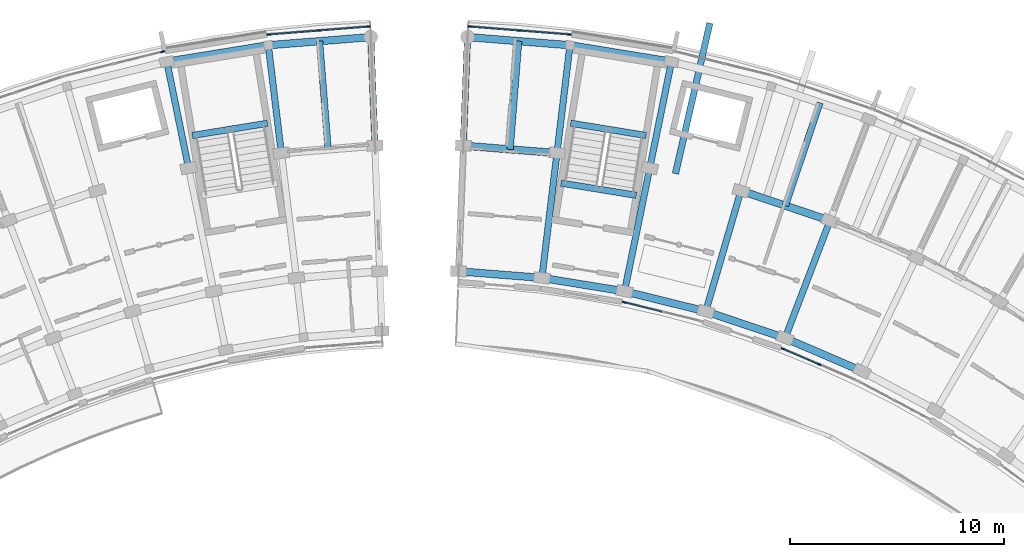
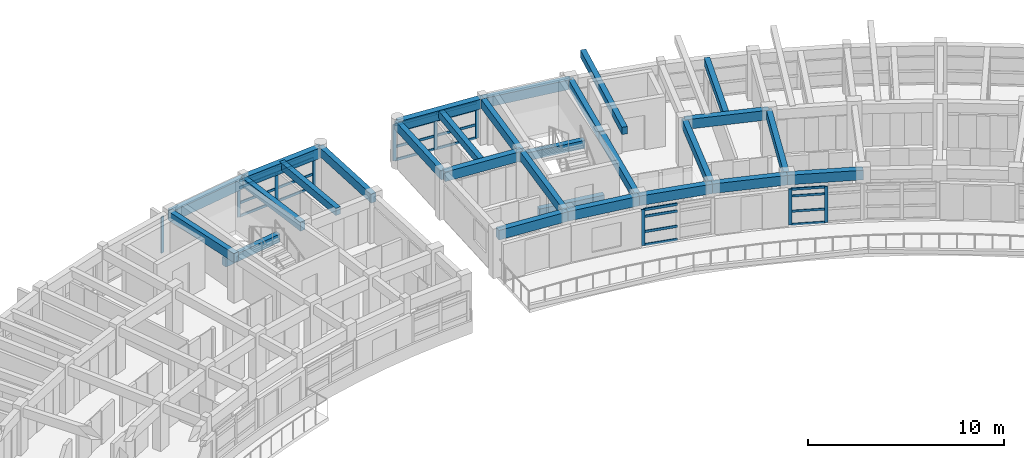
# One storey, part 6 of 38: 34 members, 28 beams, 5 elements without a shape of their own.
"""IFC4 building model written with IfcOpenShell, lengths in metres."""

from ifc_helpers import new_model, si_unit, direction, frame, origin, origin_2d, place, context, subcontext, project, spatial, rectangle, extrude, material, material_profile, profile_set, type_object, element, aggregate, save


model = new_model("IFC4")

# Units and contexts
model_context = context("Model", 3, precision=1e-05, world=origin(), true_north=direction((0.0, 1.0)))
body_context = subcontext(model_context, "Body", "Model", "MODEL_VIEW")
ifc_project = project(units=[si_unit("LENGTHUNIT", "METRE"), si_unit("AREAUNIT", "SQUARE_METRE"), si_unit("VOLUMEUNIT", "CUBIC_METRE"), si_unit("PLANEANGLEUNIT", "RADIAN"), si_unit("MASSUNIT", "GRAM", prefix="KILO")], contexts=[model_context])

# Site, building, storey
site_placement = place(None, origin())
site = spatial("IfcSite", under=ifc_project, at=site_placement, CompositionType="ELEMENT")
building_placement = place(site_placement, origin())
building = spatial("IfcBuilding", under=site, at=building_placement, Name="Zimvara Arc Housing Community", CompositionType="ELEMENT")
storey_placement = place(building_placement, frame((0.0, 0.0, 29.800048828125)))
storey = spatial("IfcBuildingStorey", under=building, at=storey_placement, Name="L09", CompositionType="ELEMENT", Elevation=29.800048828125)

# Beams
ifc_material_1 = material(Name="Concrete C40/50", Category="concrete")
ifc_material_profile_1 = material_profile(ifc_material_1, rectangle(XDim=0.300048828125, YDim=0.449951171875, at=origin_2d()), Name="RC 300x450")
ifc_profile_set_1 = profile_set([ifc_material_profile_1], Name="Concrete C40/50")
beam_type_1 = type_object("IfcBeamType", Name="BM-RC-300x450", PredefinedType="JOIST", material=ifc_profile_set_1)
for number, where, z_axis, x_axis, name in (
    (1, (40.7451171875, 98.08642578125, 2.635009765625), (-0.079171686291, 0.99686099537, 0.0), (-0.99686099537, -0.079171686291, 0.0), "bm:blkA:L09:joist:b9"),
    (2, (49.2548828125, 98.08642578125, 2.635009765625), (0.079171686291, 0.99686099537, 0.0), (-0.99686099537, 0.079171686291, 0.0), "bm:blkB:L09:joist:b0"),
    (3, (62.1279296875, 95.453369140625, 2.635009765625), (0.318607669836, 0.947886677152, 0.0), (-0.947886677152, 0.318607669836, 0.0), "bm:blkB:L09:joist:b3"),
):
    element("IfcBeam", number, at=place(storey_placement, frame(where, z_axis=z_axis, x_axis=x_axis)), inside=storey, type_object=beam_type_1, Name=name, PredefinedType="JOIST", context=body_context, shape_type="SweptSolid", body=[
        extrude(rectangle(XDim=0.300048828125, YDim=0.449951171875, at=origin_2d()), origin(), (0.0, 0.0, 1.0), 5.07568359375),
    ])
beam_1_placement = place(storey_placement, frame((56.983642578125, 96.9482421875, 2.6650390625), z_axis=(0.222762368322, 0.974872774909, 0.0), x_axis=(-0.974872774909, 0.222762368322, 0.0)))
element("IfcBeam", 4, at=beam_1_placement, inside=storey, type_object=beam_type_1, Name="bm:blkB:L09:cant_out:b2", PredefinedType="JOIST", context=body_context, shape_type="SweptSolid", body=[
    extrude(rectangle(XDim=0.300048828125, YDim=0.449951171875, at=origin_2d()), origin(), (0.0, 0.0, 1.0), 7.22021484375),
])
ifc_material_2 = material(Name="Concrete C40/50", Category="concrete")
ifc_material_profile_2 = material_profile(ifc_material_2, rectangle(XDim=0.300048828125, YDim=0.5, at=origin_2d()), Name="RC 300x500")
ifc_profile_set_2 = profile_set([ifc_material_profile_2], Name="Concrete C40/50")
beam_type_2 = type_object("IfcBeamType", Name="BM-RC-300x500", PredefinedType="BEAM", material=ifc_profile_set_2)
for number, where, z_axis, x_axis, name in (
    (5, (37.911865234375, 99.307373046875, 1.300048828125), (-0.987080057935, -0.160227835371, 0.0), (0.160227835371, -0.987080057935, 0.0), "bm:stair_trim:ST-A2:L09:mid"),
    (6, (55.15771484375, 95.93701171875, -0.25), (-0.987080057935, 0.160227835371, 0.0), (-0.160227835371, -0.987080057935, 0.0), "bm:stair_trim:ST-B1:L09:near"),
    (7, (55.612060546875, 98.7353515625, 1.300048828125), (-0.987080057935, 0.160227835371, 0.0), (-0.160227835371, -0.987080057935, 0.0), "bm:stair_trim:ST-B1:L09:mid"),
):
    element("IfcBeam", number, at=place(storey_placement, frame(where, z_axis=z_axis, x_axis=x_axis)), inside=storey, type_object=beam_type_2, Name=name, PredefinedType="BEAM", context=body_context, shape_type="SweptSolid", body=[
        extrude(rectangle(XDim=0.300048828125, YDim=0.5, at=origin_2d()), origin(), (0.0, 0.0, 1.0), 3.570068359375),
    ])
ifc_material_3 = material(Name="Concrete C40/50", Category="concrete")
ifc_material_profile_3 = material_profile(ifc_material_3, rectangle(XDim=0.300048828125, YDim=0.550048828125, at=origin_2d()), Name="RC 300x550")
ifc_profile_set_3 = profile_set([ifc_material_profile_3], Name="Concrete C40/50")
beam_type_3 = type_object("IfcBeamType", Name="BM-RC-300x550", PredefinedType="BEAM", material=ifc_profile_set_3)
beam_2_placement = place(storey_placement, frame((34.21875, 97.208740234375, 2.5849609375), z_axis=(-0.200411962389, 0.97971171542, 0.0), x_axis=(-0.97971171542, -0.200411962389, 0.0)))
element("IfcBeam", 8, at=beam_2_placement, inside=storey, type_object=beam_type_3, Name="bm:blkA:L09:rad:b8:r23", PredefinedType="BEAM", context=body_context, shape_type="SweptSolid", body=[
    extrude(rectangle(XDim=0.300048828125, YDim=0.550048828125, at=origin_2d()), origin(), (0.0, 0.0, 1.0), 5.079833984375),
])
for number, where, z_axis, x_axis, name in (
    (9, (38.55517578125, 97.91259765625, 2.5849609375), (-0.119762990499, 0.99280251113, 0.0), (-0.99280251113, -0.119762990499, 0.0), "bm:blkA:L09:rad:b9:r23"),
    (10, (42.934814453125, 98.26025390625, 2.5849609375), (-0.038398054907, 0.999262522753, 0.0), (-0.999262522753, -0.038398054907, 0.0), "bm:blkA:L09:rad:b10:r23"),
    (11, (47.065185546875, 98.26025390625, 2.5849609375), (0.038398054907, 0.999262522753, 0.0), (-0.999262522753, 0.038398054907, 0.0), "bm:blkB:L09:rad:b0:r23"),
):
    element("IfcBeam", number, at=place(storey_placement, frame(where, z_axis=z_axis, x_axis=x_axis)), inside=storey, type_object=beam_type_3, Name=name, PredefinedType="BEAM", context=body_context, shape_type="SweptSolid", body=[
        extrude(rectangle(XDim=0.300048828125, YDim=0.550048828125, at=origin_2d()), origin(), (0.0, 0.0, 1.0), 5.080078125),
    ])
beam_3_placement = place(storey_placement, frame((50.740234375, 92.074951171875, 2.5849609375), z_axis=(0.119827921695, 0.992794676246, 0.0), x_axis=(-0.992794676246, 0.119827921695, 0.0)))
element("IfcBeam", 12, at=beam_3_placement, inside=storey, type_object=beam_type_3, Name="bm:blkB:L09:rad:b1:r12", PredefinedType="BEAM", context=body_context, shape_type="SweptSolid", body=[
    extrude(rectangle(XDim=0.300048828125, YDim=0.550048828125, at=origin_2d()), origin(), (0.0, 0.0, 1.0), 5.880126953125),
])
beam_4_placement = place(storey_placement, frame((51.44482421875, 97.91259765625, 2.5849609375), z_axis=(0.119762990499, 0.99280251113, 0.0), x_axis=(-0.99280251113, 0.119762990499, 0.0)))
element("IfcBeam", 13, at=beam_4_placement, inside=storey, type_object=beam_type_3, Name="bm:blkB:L09:rad:b1:r23", PredefinedType="BEAM", context=body_context, shape_type="SweptSolid", body=[
    extrude(rectangle(XDim=0.300048828125, YDim=0.550048828125, at=origin_2d()), origin(), (0.0, 0.0, 1.0), 5.080078125),
])
beam_5_placement = place(storey_placement, frame((54.602783203125, 91.447998046875, 2.5849609375), z_axis=(0.200417973989, 0.979710485655, 0.0), x_axis=(-0.979710485655, 0.200417973989, 0.0)))
element("IfcBeam", 14, at=beam_5_placement, inside=storey, type_object=beam_type_3, Name="bm:blkB:L09:rad:b2:r12", PredefinedType="BEAM", context=body_context, shape_type="SweptSolid", body=[
    extrude(rectangle(XDim=0.300048828125, YDim=0.550048828125, at=origin_2d()), origin(), (0.0, 0.0, 1.0), 5.880126953125),
])
beam_6_placement = place(storey_placement, frame((55.78125, 97.208740234375, 2.5849609375), z_axis=(0.200411962389, 0.97971171542, 0.0), x_axis=(-0.97971171542, 0.200411962389, 0.0)))
element("IfcBeam", 15, at=beam_6_placement, inside=storey, type_object=beam_type_3, Name="bm:blkB:L09:rad:b2:r23", PredefinedType="BEAM", context=body_context, shape_type="SweptSolid", body=[
    extrude(rectangle(XDim=0.300048828125, YDim=0.550048828125, at=origin_2d()), origin(), (0.0, 0.0, 1.0), 5.079833984375),
])
beam_7_placement = place(storey_placement, frame((58.4013671875, 90.5078125, 2.5849609375), z_axis=(0.27967473749, 0.960094808449, 0.0), x_axis=(-0.960094808449, 0.27967473749, 0.0)))
element("IfcBeam", 16, at=beam_7_placement, inside=storey, type_object=beam_type_3, Name="bm:blkB:L09:rad:b3:r12", PredefinedType="BEAM", context=body_context, shape_type="SweptSolid", body=[
    extrude(rectangle(XDim=0.300048828125, YDim=0.550048828125, at=origin_2d()), origin(), (0.0, 0.0, 1.0), 5.880126953125),
])
beam_8_placement = place(storey_placement, frame((62.110595703125, 89.260986328125, 2.5849609375), z_axis=(0.357036247742, 0.934090529766, 0.0), x_axis=(-0.934090529766, 0.357036247742, 0.0)))
element("IfcBeam", 17, at=beam_8_placement, inside=storey, type_object=beam_type_3, Name="bm:blkB:L09:rad:b4:r12", PredefinedType="BEAM", context=body_context, shape_type="SweptSolid", body=[
    extrude(rectangle(XDim=0.300048828125, YDim=0.550048828125, at=origin_2d()), origin(), (0.0, 0.0, 1.0), 5.8798828125),
])
ifc_material_4 = material(Name="Concrete C40/50", Category="concrete")
ifc_material_profile_4 = material_profile(ifc_material_4, rectangle(XDim=0.35009765625, YDim=0.60009765625, at=origin_2d()), Name="RC 350x600")
ifc_profile_set_4 = profile_set([ifc_material_profile_4], Name="Concrete C40/50")
beam_type_4 = type_object("IfcBeamType", Name="BM-RC-350x600", PredefinedType="BEAM", material=ifc_profile_set_4)
beam_9_placement = place(storey_placement, frame((46.839599609375, 92.384765625, 2.56005859375), z_axis=(0.99686054795, -0.079177319606, 0.0), x_axis=(0.079177319606, 0.99686054795, 0.0)))
element("IfcBeam", 18, at=beam_9_placement, inside=storey, type_object=beam_type_4, Name="bm:blkB:L09:chord:r1:b0", PredefinedType="BEAM", context=body_context, shape_type="SweptSolid", body=[
    extrude(rectangle(XDim=0.35009765625, YDim=0.60009765625, at=origin_2d()), origin(), (0.0, 0.0, 1.0), 3.912841796875),
])
for number, where, z_axis, x_axis, name in (
    (19, (50.740234375, 92.074951171875, 2.56005859375), (0.987081487371, -0.160219029111, 0.0), (0.160219029111, 0.987081487371, 0.0), "bm:blkB:L09:chord:r1:b1"),
    (20, (54.602783203125, 91.447998046875, 2.56005859375), (0.970708671682, -0.240259598602, 0.0), (0.240259598602, 0.970708671682, 0.0), "bm:blkB:L09:chord:r1:b2"),
    (21, (58.4013671875, 90.5078125, 2.56005859375), (0.947881689069, -0.31862250945, 0.0), (0.31862250945, 0.947881689069, 0.0), "bm:blkB:L09:chord:r1:b3"),
    (22, (62.110595703125, 89.260986328125, 2.56005859375), (0.91873144242, -0.394882940514, 0.0), (0.394882940514, 0.91873144242, 0.0), "bm:blkB:L09:chord:r1:b4"),
):
    element("IfcBeam", number, at=place(storey_placement, frame(where, z_axis=z_axis, x_axis=x_axis)), inside=storey, type_object=beam_type_4, Name=name, PredefinedType="BEAM", context=body_context, shape_type="SweptSolid", body=[
        extrude(rectangle(XDim=0.35009765625, YDim=0.60009765625, at=origin_2d()), origin(), (0.0, 0.0, 1.0), 3.9130859375),
    ])
beam_10_placement = place(storey_placement, frame((47.065185546875, 98.26025390625, 2.56005859375), z_axis=(0.996864209836, -0.079131202119, 0.0), x_axis=(0.079131202119, 0.996864209836, 0.0)))
element("IfcBeam", 23, at=beam_10_placement, inside=storey, type_object=beam_type_4, Name="bm:blkB:L09:chord:r2:b0", PredefinedType="BEAM", context=body_context, shape_type="SweptSolid", body=[
    extrude(rectangle(XDim=0.35009765625, YDim=0.60009765625, at=origin_2d()), origin(), (0.0, 0.0, 1.0), 4.393310546875),
])
beam_11_placement = place(storey_placement, frame((60.0458984375, 96.1533203125, 2.56005859375), z_axis=(0.947868796036, -0.318660862832, 0.0), x_axis=(0.318660862832, 0.947868796036, 0.0)))
element("IfcBeam", 24, at=beam_11_placement, inside=storey, type_object=beam_type_4, Name="bm:blkB:L09:chord:r2:b3", PredefinedType="BEAM", context=body_context, shape_type="SweptSolid", body=[
    extrude(rectangle(XDim=0.35009765625, YDim=0.60009765625, at=origin_2d()), origin(), (0.0, 0.0, 1.0), 4.39306640625),
])
beam_12_placement = place(storey_placement, frame((47.26025390625, 103.336669921875, 2.56005859375), z_axis=(0.996861768207, -0.0791619548, 0.0), x_axis=(0.0791619548, 0.996861768207, 0.0)))
element("IfcBeam", 25, at=beam_12_placement, inside=storey, type_object=beam_type_4, Name="bm:blkB:L09:chord:r3:b0", PredefinedType="BEAM", context=body_context, shape_type="SweptSolid", body=[
    extrude(rectangle(XDim=0.35009765625, YDim=0.60009765625, at=origin_2d()), origin(), (0.0, 0.0, 1.0), 4.80810546875),
])
beam_13_placement = place(storey_placement, frame((52.05322265625, 102.9560546875, 2.56005859375), z_axis=(0.987076839731, -0.160247659784, 0.0), x_axis=(0.160247659784, 0.987076839731, 0.0)))
element("IfcBeam", 26, at=beam_13_placement, inside=storey, type_object=beam_type_4, Name="bm:blkB:L09:chord:r3:b1", PredefinedType="BEAM", context=body_context, shape_type="SweptSolid", body=[
    extrude(rectangle(XDim=0.35009765625, YDim=0.60009765625, at=origin_2d()), origin(), (0.0, 0.0, 1.0), 4.808349609375),
])
ifc_material_5 = material(Name="Concrete C40/50", Category="concrete")
ifc_material_profile_5 = material_profile(ifc_material_5, rectangle(XDim=0.35009765625, YDim=0.64990234375, at=origin_2d()), Name="RC 350x650")
ifc_profile_set_5 = profile_set([ifc_material_profile_5], Name="Concrete C40/50")
beam_type_5 = type_object("IfcBeamType", Name="BM-RC-350x650", PredefinedType="BEAM", material=ifc_profile_set_5)
beam_14_placement = place(storey_placement, frame((33.20068359375, 102.185546875, 2.534912109375), z_axis=(0.987076839731, 0.160247659784, 0.0), x_axis=(-0.160247659784, 0.987076839731, 0.0)))
element("IfcBeam", 27, at=beam_14_placement, inside=storey, type_object=beam_type_5, Name="bm:blkA:L09:chord:r3:b8", PredefinedType="BEAM", context=body_context, shape_type="SweptSolid", body=[
    extrude(rectangle(XDim=0.35009765625, YDim=0.64990234375, at=origin_2d()), origin(), (0.0, 0.0, 1.0), 4.808349609375),
])
beam_15_placement = place(storey_placement, frame((37.94677734375, 102.9560546875, 2.534912109375), z_axis=(0.996861768207, 0.0791619548, 0.0), x_axis=(-0.0791619548, 0.996861768207, 0.0)))
element("IfcBeam", 28, at=beam_15_placement, inside=storey, type_object=beam_type_5, Name="bm:blkA:L09:chord:r3:b9", PredefinedType="BEAM", context=body_context, shape_type="SweptSolid", body=[
    extrude(rectangle(XDim=0.35009765625, YDim=0.64990234375, at=origin_2d()), origin(), (0.0, 0.0, 1.0), 4.80810546875),
])

# Curtain wall, members
ifc_material_6 = material(Name="Anodised Aluminium AW-6063", Category="aluminium")
curtain_wall_type_1 = type_object("IfcCurtainWallType", Name="CW-SYS-08", PredefinedType="USERDEFINED", material=ifc_material_6)
curtain_wall_1_placement = place(storey_placement, origin())
curtain_wall_1 = element("IfcCurtainWall", 29, at=curtain_wall_1_placement, inside=storey, type_object=curtain_wall_type_1, Name="cw:blkB:L09:in:b4", ObjectType="CURTAIN WALL", PredefinedType="USERDEFINED")
ifc_material_7 = material(Name="Anodised Aluminium AW-6063", Category="aluminium")
ifc_material_profile_6 = material_profile(ifc_material_7, rectangle(XDim=0.06494140625, YDim=0.179931640625, at=origin_2d()), Name="ALU 65x180")
ifc_profile_set_6 = profile_set([ifc_material_profile_6], Name="Anodised Aluminium AW-6063")
member_type_1 = type_object("IfcMemberType", Name="CWM-65x150", PredefinedType="MULLION", material=ifc_profile_set_6)
member_1_placement = place(storey_placement, frame((62.016845703125, 88.757568359375, 0.0), z_axis=(0.0, 0.0, 1.0), x_axis=(0.394903951674, 0.918722411261, 0.0)))
member_1 = element("IfcMember", 30, at=member_1_placement, type_object=member_type_1, Name="CW08 mullion 1", PredefinedType="MULLION", context=body_context, shape_type="SweptSolid", body=[
    extrude(rectangle(XDim=0.06494140625, YDim=0.179931640625, at=origin_2d()), origin(), (0.0, 0.0, 1.0), 2.25),
])
member_2_placement = place(storey_placement, frame((63.710693359375, 88.029541015625, 0.0), z_axis=(0.0, 0.0, 1.0), x_axis=(0.394903951674, 0.918722411261, 0.0)))
member_2 = element("IfcMember", 31, at=member_2_placement, type_object=member_type_1, Name="CW08 mullion 2", PredefinedType="MULLION", context=body_context, shape_type="SweptSolid", body=[
    extrude(rectangle(XDim=0.06494140625, YDim=0.179931640625, at=origin_2d()), origin(), (0.0, 0.0, 1.0), 2.25),
])

# Curtain wall, member
ifc_material_8 = material(Name="Anodised Aluminium AW-6063", Category="aluminium")
curtain_wall_type_2 = type_object("IfcCurtainWallType", Name="CW-SYS-05", PredefinedType="USERDEFINED", material=ifc_material_8)
curtain_wall_2_placement = place(storey_placement, origin())
curtain_wall_2 = element("IfcCurtainWall", 32, at=curtain_wall_2_placement, inside=storey, type_object=curtain_wall_type_2, Name="cw:blkA:L09:out:b7", ObjectType="CURTAIN WALL", PredefinedType="USERDEFINED")
ifc_material_9 = material(Name="Anodised Aluminium AW-6063", Category="aluminium")
ifc_material_profile_7 = material_profile(ifc_material_9, rectangle(XDim=0.06494140625, YDim=0.195068359375, at=origin_2d()), Name="ALU 65x195")
ifc_profile_set_7 = profile_set([ifc_material_profile_7], Name="Anodised Aluminium AW-6063")
member_type_2 = type_object("IfcMemberType", Name="CWM-65x180", PredefinedType="MULLION", material=ifc_profile_set_7)
member_3_placement = place(storey_placement, frame((33.0107421875, 102.6533203125, 0.0), z_axis=(0.0, 0.0, 1.0), x_axis=(-0.240229711131, 0.970716068627, 0.0)))
member_3 = element("IfcMember", 33, at=member_3_placement, type_object=member_type_2, Name="CW05 mullion 3", PredefinedType="MULLION", context=body_context, shape_type="SweptSolid", body=[
    extrude(rectangle(XDim=0.06494140625, YDim=0.195068359375, at=origin_2d()), origin(), (0.0, 0.0, 1.0), 2.25),
])
aggregate(curtain_wall_2, [member_3])

# Curtain wall, members
ifc_material_10 = material(Name="Anodised Aluminium AW-6063", Category="aluminium")
curtain_wall_type_3 = type_object("IfcCurtainWallType", Name="CW-SYS-07", PredefinedType="USERDEFINED", material=ifc_material_10)
curtain_wall_3_placement = place(storey_placement, origin())
curtain_wall_3 = element("IfcCurtainWall", 34, at=curtain_wall_3_placement, inside=storey, type_object=curtain_wall_type_3, Name="cw:blkA:L09:out:b9", ObjectType="CURTAIN WALL", PredefinedType="USERDEFINED")
member_4_placement = place(storey_placement, frame((37.97900390625, 103.459716796875, 0.0), z_axis=(0.0, 0.0, 1.0), x_axis=(-0.079153759607, 0.996862418963, 0.0)))
member_4 = element("IfcMember", 35, at=member_4_placement, type_object=member_type_2, Name="CW07 mullion 1", PredefinedType="MULLION", context=body_context, shape_type="SweptSolid", body=[
    extrude(rectangle(XDim=0.06494140625, YDim=0.195068359375, at=origin_2d()), origin(), (0.0, 0.0, 1.0), 2.25),
])
member_5_placement = place(storey_placement, frame((40.3037109375, 103.644287109375, 0.0), z_axis=(0.0, 0.0, 1.0), x_axis=(-0.079153759607, 0.996862418963, 0.0)))
member_5 = element("IfcMember", 36, at=member_5_placement, type_object=member_type_2, Name="CW07 mullion 2", PredefinedType="MULLION", context=body_context, shape_type="SweptSolid", body=[
    extrude(rectangle(XDim=0.06494140625, YDim=0.195068359375, at=origin_2d()), origin(), (0.0, 0.0, 1.0), 2.25),
])
member_6_placement = place(storey_placement, frame((42.62841796875, 103.828857421875, 0.0), z_axis=(0.0, 0.0, 1.0), x_axis=(-0.079153759607, 0.996862418963, 0.0)))
member_6 = element("IfcMember", 37, at=member_6_placement, type_object=member_type_2, Name="CW07 mullion 3", PredefinedType="MULLION", context=body_context, shape_type="SweptSolid", body=[
    extrude(rectangle(XDim=0.06494140625, YDim=0.195068359375, at=origin_2d()), origin(), (0.0, 0.0, 1.0), 2.25),
])

ifc_material_11 = material(Name="Anodised Aluminium AW-6063", Category="aluminium")
curtain_wall_type_4 = type_object("IfcCurtainWallType", Name="CW-SYS-03", PredefinedType="USERDEFINED", material=ifc_material_11)
curtain_wall_4_placement = place(storey_placement, origin())
curtain_wall_4 = element("IfcCurtainWall", 38, at=curtain_wall_4_placement, inside=storey, type_object=curtain_wall_type_4, Name="cw:blkB:L09:out:b0", ObjectType="CURTAIN WALL", PredefinedType="USERDEFINED")
member_7_placement = place(storey_placement, frame((47.37158203125, 103.828857421875, 0.0), z_axis=(0.0, 0.0, 1.0), x_axis=(0.079153759607, 0.996862418963, 0.0)))
member_7 = element("IfcMember", 39, at=member_7_placement, type_object=member_type_2, Name="CW03 mullion 1", PredefinedType="MULLION", context=body_context, shape_type="SweptSolid", body=[
    extrude(rectangle(XDim=0.06494140625, YDim=0.195068359375, at=origin_2d()), origin(), (0.0, 0.0, 1.0), 2.25),
])
member_8_placement = place(storey_placement, frame((49.6962890625, 103.644287109375, 0.0), z_axis=(0.0, 0.0, 1.0), x_axis=(0.079153759607, 0.996862418963, 0.0)))
member_8 = element("IfcMember", 40, at=member_8_placement, type_object=member_type_2, Name="CW03 mullion 2", PredefinedType="MULLION", context=body_context, shape_type="SweptSolid", body=[
    extrude(rectangle(XDim=0.06494140625, YDim=0.195068359375, at=origin_2d()), origin(), (0.0, 0.0, 1.0), 2.25),
])
member_9_placement = place(storey_placement, frame((52.02099609375, 103.459716796875, 0.0), z_axis=(0.0, 0.0, 1.0), x_axis=(0.079153759607, 0.996862418963, 0.0)))
member_9 = element("IfcMember", 41, at=member_9_placement, type_object=member_type_2, Name="CW03 mullion 3", PredefinedType="MULLION", context=body_context, shape_type="SweptSolid", body=[
    extrude(rectangle(XDim=0.06494140625, YDim=0.195068359375, at=origin_2d()), origin(), (0.0, 0.0, 1.0), 2.25),
])

# Curtain wall, member
curtain_wall_5_placement = place(storey_placement, origin())
curtain_wall_5 = element("IfcCurtainWall", 42, at=curtain_wall_5_placement, inside=storey, type_object=curtain_wall_type_2, Name="cw:blkB:L09:in:b2", ObjectType="CURTAIN WALL", PredefinedType="USERDEFINED")
member_10_placement = place(storey_placement, frame((54.592529296875, 90.935791015625, 0.0), z_axis=(0.0, 0.0, 1.0), x_axis=(0.240229186313, 0.970716198507, 0.0)))
member_10 = element("IfcMember", 43, at=member_10_placement, type_object=member_type_2, Name="CW05 mullion 1", PredefinedType="MULLION", context=body_context, shape_type="SweptSolid", body=[
    extrude(rectangle(XDim=0.06494140625, YDim=0.195068359375, at=origin_2d()), origin(), (0.0, 0.0, 1.0), 2.25),
])

# Member
ifc_material_12 = material(Name="Anodised Aluminium AW-6063", Category="aluminium")
ifc_material_profile_8 = material_profile(ifc_material_12, rectangle(XDim=0.06494140625, YDim=0.139892578125, at=origin_2d()), Name="ALU 65x140")
ifc_profile_set_8 = profile_set([ifc_material_profile_8], Name="Anodised Aluminium AW-6063")
member_type_3 = type_object("IfcMemberType", Name="CWT-65x120", PredefinedType="USERDEFINED", material=ifc_profile_set_8)
member_11_placement = place(storey_placement, frame((62.046875, 88.74462890625, 0.032470703125), z_axis=(0.918718495938, -0.394913060334, 0.0), x_axis=(0.394913060334, 0.918718495938, 0.0)))
member_11 = element("IfcMember", 44, at=member_11_placement, type_object=member_type_3, Name="CW08 transom 1.1", ObjectType="TRANSOM", PredefinedType="USERDEFINED", context=body_context, shape_type="SweptSolid", body=[
    extrude(rectangle(XDim=0.06494140625, YDim=0.139892578125, at=origin_2d()), origin(), (0.0, 0.0, 1.0), 1.778564453125),
])

member_12_placement = place(storey_placement, frame((62.046875, 88.74462890625, 0.849853515625), z_axis=(0.918718495938, -0.394913060334, 0.0), x_axis=(0.394913060334, 0.918718495938, 0.0)))
member_12 = element("IfcMember", 45, at=member_12_placement, type_object=member_type_3, Name="CW08 transom 1.2", ObjectType="TRANSOM", PredefinedType="USERDEFINED", context=body_context, shape_type="SweptSolid", body=[
    extrude(rectangle(XDim=0.06494140625, YDim=0.139892578125, at=origin_2d()), origin(), (0.0, 0.0, 1.0), 1.778564453125),
])

member_13_placement = place(storey_placement, frame((62.046875, 88.74462890625, 1.800048828125), z_axis=(0.918718495938, -0.394913060334, 0.0), x_axis=(0.394913060334, 0.918718495938, 0.0)))
member_13 = element("IfcMember", 46, at=member_13_placement, type_object=member_type_3, Name="CW08 transom 1.3", ObjectType="TRANSOM", PredefinedType="USERDEFINED", context=body_context, shape_type="SweptSolid", body=[
    extrude(rectangle(XDim=0.06494140625, YDim=0.139892578125, at=origin_2d()), origin(), (0.0, 0.0, 1.0), 1.778564453125),
])

member_14_placement = place(storey_placement, frame((62.046875, 88.74462890625, 2.217529296875), z_axis=(0.918718495938, -0.394913060334, 0.0), x_axis=(0.394913060334, 0.918718495938, 0.0)))
member_14 = element("IfcMember", 47, at=member_14_placement, type_object=member_type_3, Name="CW08 transom 1.4", ObjectType="TRANSOM", PredefinedType="USERDEFINED", context=body_context, shape_type="SweptSolid", body=[
    extrude(rectangle(XDim=0.06494140625, YDim=0.139892578125, at=origin_2d()), origin(), (0.0, 0.0, 1.0), 1.778564453125),
])

aggregate(curtain_wall_1, [member_1, member_2, member_11, member_12, member_13, member_14])

ifc_material_13 = material(Name="Anodised Aluminium AW-6063", Category="aluminium")
ifc_material_profile_9 = material_profile(ifc_material_13, rectangle(XDim=0.06494140625, YDim=0.155029296875, at=origin_2d()), Name="ALU 65x155")
ifc_profile_set_9 = profile_set([ifc_material_profile_9], Name="Anodised Aluminium AW-6063")
member_type_4 = type_object("IfcMemberType", Name="CWT-65x140", PredefinedType="USERDEFINED", material=ifc_profile_set_9)
member_15_placement = place(storey_placement, frame((38.011474609375, 103.46240234375, 0.032470703125), z_axis=(0.996862021022, 0.079158771116, 0.0), x_axis=(-0.079158771116, 0.996862021022, 0.0)))
member_15 = element("IfcMember", 48, at=member_15_placement, type_object=member_type_4, Name="CW07 transom 1.1", ObjectType="TRANSOM", PredefinedType="USERDEFINED", context=body_context, shape_type="SweptSolid", body=[
    extrude(rectangle(XDim=0.06494140625, YDim=0.155029296875, at=origin_2d()), origin(), (0.0, 0.0, 1.0), 2.266845703125),
])

member_16_placement = place(storey_placement, frame((38.011474609375, 103.46240234375, 0.849853515625), z_axis=(0.996862021022, 0.079158771116, 0.0), x_axis=(-0.079158771116, 0.996862021022, 0.0)))
member_16 = element("IfcMember", 49, at=member_16_placement, type_object=member_type_4, Name="CW07 transom 1.2", ObjectType="TRANSOM", PredefinedType="USERDEFINED", context=body_context, shape_type="SweptSolid", body=[
    extrude(rectangle(XDim=0.06494140625, YDim=0.155029296875, at=origin_2d()), origin(), (0.0, 0.0, 1.0), 2.266845703125),
])

member_17_placement = place(storey_placement, frame((38.011474609375, 103.46240234375, 1.800048828125), z_axis=(0.996862021022, 0.079158771116, 0.0), x_axis=(-0.079158771116, 0.996862021022, 0.0)))
member_17 = element("IfcMember", 50, at=member_17_placement, type_object=member_type_4, Name="CW07 transom 1.3", ObjectType="TRANSOM", PredefinedType="USERDEFINED", context=body_context, shape_type="SweptSolid", body=[
    extrude(rectangle(XDim=0.06494140625, YDim=0.155029296875, at=origin_2d()), origin(), (0.0, 0.0, 1.0), 2.266845703125),
])

member_18_placement = place(storey_placement, frame((38.011474609375, 103.46240234375, 2.217529296875), z_axis=(0.996862021022, 0.079158771116, 0.0), x_axis=(-0.079158771116, 0.996862021022, 0.0)))
member_18 = element("IfcMember", 51, at=member_18_placement, type_object=member_type_4, Name="CW07 transom 1.4", ObjectType="TRANSOM", PredefinedType="USERDEFINED", context=body_context, shape_type="SweptSolid", body=[
    extrude(rectangle(XDim=0.06494140625, YDim=0.155029296875, at=origin_2d()), origin(), (0.0, 0.0, 1.0), 2.266845703125),
])

member_19_placement = place(storey_placement, frame((40.336181640625, 103.64697265625, 0.032470703125), z_axis=(0.996862021022, 0.079158771116, 0.0), x_axis=(-0.079158771116, 0.996862021022, 0.0)))
member_19 = element("IfcMember", 52, at=member_19_placement, type_object=member_type_4, Name="CW07 transom 2.1", ObjectType="TRANSOM", PredefinedType="USERDEFINED", context=body_context, shape_type="SweptSolid", body=[
    extrude(rectangle(XDim=0.06494140625, YDim=0.155029296875, at=origin_2d()), origin(), (0.0, 0.0, 1.0), 2.266845703125),
])

member_20_placement = place(storey_placement, frame((40.336181640625, 103.64697265625, 0.849853515625), z_axis=(0.996862021022, 0.079158771116, 0.0), x_axis=(-0.079158771116, 0.996862021022, 0.0)))
member_20 = element("IfcMember", 53, at=member_20_placement, type_object=member_type_4, Name="CW07 transom 2.2", ObjectType="TRANSOM", PredefinedType="USERDEFINED", context=body_context, shape_type="SweptSolid", body=[
    extrude(rectangle(XDim=0.06494140625, YDim=0.155029296875, at=origin_2d()), origin(), (0.0, 0.0, 1.0), 2.266845703125),
])

member_21_placement = place(storey_placement, frame((40.336181640625, 103.64697265625, 1.800048828125), z_axis=(0.996862021022, 0.079158771116, 0.0), x_axis=(-0.079158771116, 0.996862021022, 0.0)))
member_21 = element("IfcMember", 54, at=member_21_placement, type_object=member_type_4, Name="CW07 transom 2.3", ObjectType="TRANSOM", PredefinedType="USERDEFINED", context=body_context, shape_type="SweptSolid", body=[
    extrude(rectangle(XDim=0.06494140625, YDim=0.155029296875, at=origin_2d()), origin(), (0.0, 0.0, 1.0), 2.266845703125),
])

member_22_placement = place(storey_placement, frame((40.336181640625, 103.64697265625, 2.217529296875), z_axis=(0.996862021022, 0.079158771116, 0.0), x_axis=(-0.079158771116, 0.996862021022, 0.0)))
member_22 = element("IfcMember", 55, at=member_22_placement, type_object=member_type_4, Name="CW07 transom 2.4", ObjectType="TRANSOM", PredefinedType="USERDEFINED", context=body_context, shape_type="SweptSolid", body=[
    extrude(rectangle(XDim=0.06494140625, YDim=0.155029296875, at=origin_2d()), origin(), (0.0, 0.0, 1.0), 2.266845703125),
])

aggregate(curtain_wall_3, [member_4, member_5, member_6, member_15, member_16, member_17, member_18, member_19, member_20, member_21, member_22])

member_23_placement = place(storey_placement, frame((47.404052734375, 103.826416015625, 0.032470703125), z_axis=(0.996862021022, -0.079158771116, 0.0), x_axis=(0.079158771116, 0.996862021022, 0.0)))
member_23 = element("IfcMember", 56, at=member_23_placement, type_object=member_type_4, Name="CW03 transom 1.1", ObjectType="TRANSOM", PredefinedType="USERDEFINED", context=body_context, shape_type="SweptSolid", body=[
    extrude(rectangle(XDim=0.06494140625, YDim=0.155029296875, at=origin_2d()), origin(), (0.0, 0.0, 1.0), 2.266845703125),
])

member_24_placement = place(storey_placement, frame((47.404052734375, 103.826416015625, 0.849853515625), z_axis=(0.996862021022, -0.079158771116, 0.0), x_axis=(0.079158771116, 0.996862021022, 0.0)))
member_24 = element("IfcMember", 57, at=member_24_placement, type_object=member_type_4, Name="CW03 transom 1.2", ObjectType="TRANSOM", PredefinedType="USERDEFINED", context=body_context, shape_type="SweptSolid", body=[
    extrude(rectangle(XDim=0.06494140625, YDim=0.155029296875, at=origin_2d()), origin(), (0.0, 0.0, 1.0), 2.266845703125),
])

member_25_placement = place(storey_placement, frame((47.404052734375, 103.826416015625, 1.800048828125), z_axis=(0.996862021022, -0.079158771116, 0.0), x_axis=(0.079158771116, 0.996862021022, 0.0)))
member_25 = element("IfcMember", 58, at=member_25_placement, type_object=member_type_4, Name="CW03 transom 1.3", ObjectType="TRANSOM", PredefinedType="USERDEFINED", context=body_context, shape_type="SweptSolid", body=[
    extrude(rectangle(XDim=0.06494140625, YDim=0.155029296875, at=origin_2d()), origin(), (0.0, 0.0, 1.0), 2.266845703125),
])

member_26_placement = place(storey_placement, frame((47.404052734375, 103.826416015625, 2.217529296875), z_axis=(0.996862021022, -0.079158771116, 0.0), x_axis=(0.079158771116, 0.996862021022, 0.0)))
member_26 = element("IfcMember", 59, at=member_26_placement, type_object=member_type_4, Name="CW03 transom 1.4", ObjectType="TRANSOM", PredefinedType="USERDEFINED", context=body_context, shape_type="SweptSolid", body=[
    extrude(rectangle(XDim=0.06494140625, YDim=0.155029296875, at=origin_2d()), origin(), (0.0, 0.0, 1.0), 2.266845703125),
])

member_27_placement = place(storey_placement, frame((49.728759765625, 103.641845703125, 0.032470703125), z_axis=(0.996862021022, -0.079158771116, 0.0), x_axis=(0.079158771116, 0.996862021022, 0.0)))
member_27 = element("IfcMember", 60, at=member_27_placement, type_object=member_type_4, Name="CW03 transom 2.1", ObjectType="TRANSOM", PredefinedType="USERDEFINED", context=body_context, shape_type="SweptSolid", body=[
    extrude(rectangle(XDim=0.06494140625, YDim=0.155029296875, at=origin_2d()), origin(), (0.0, 0.0, 1.0), 2.266845703125),
])

member_28_placement = place(storey_placement, frame((49.728759765625, 103.641845703125, 0.849853515625), z_axis=(0.996862021022, -0.079158771116, 0.0), x_axis=(0.079158771116, 0.996862021022, 0.0)))
member_28 = element("IfcMember", 61, at=member_28_placement, type_object=member_type_4, Name="CW03 transom 2.2", ObjectType="TRANSOM", PredefinedType="USERDEFINED", context=body_context, shape_type="SweptSolid", body=[
    extrude(rectangle(XDim=0.06494140625, YDim=0.155029296875, at=origin_2d()), origin(), (0.0, 0.0, 1.0), 2.266845703125),
])

member_29_placement = place(storey_placement, frame((49.728759765625, 103.641845703125, 1.800048828125), z_axis=(0.996862021022, -0.079158771116, 0.0), x_axis=(0.079158771116, 0.996862021022, 0.0)))
member_29 = element("IfcMember", 62, at=member_29_placement, type_object=member_type_4, Name="CW03 transom 2.3", ObjectType="TRANSOM", PredefinedType="USERDEFINED", context=body_context, shape_type="SweptSolid", body=[
    extrude(rectangle(XDim=0.06494140625, YDim=0.155029296875, at=origin_2d()), origin(), (0.0, 0.0, 1.0), 2.266845703125),
])

member_30_placement = place(storey_placement, frame((49.728759765625, 103.641845703125, 2.217529296875), z_axis=(0.996862021022, -0.079158771116, 0.0), x_axis=(0.079158771116, 0.996862021022, 0.0)))
member_30 = element("IfcMember", 63, at=member_30_placement, type_object=member_type_4, Name="CW03 transom 2.4", ObjectType="TRANSOM", PredefinedType="USERDEFINED", context=body_context, shape_type="SweptSolid", body=[
    extrude(rectangle(XDim=0.06494140625, YDim=0.155029296875, at=origin_2d()), origin(), (0.0, 0.0, 1.0), 2.266845703125),
])

aggregate(curtain_wall_4, [member_7, member_8, member_9, member_23, member_24, member_25, member_26, member_27, member_28, member_29, member_30])

member_31_placement = place(storey_placement, frame((54.6240234375, 90.927978515625, 0.032470703125), z_axis=(0.970721060666, -0.240209538485, 0.0), x_axis=(0.240209538485, 0.970721060666, 0.0)))
member_31 = element("IfcMember", 64, at=member_31_placement, type_object=member_type_4, Name="CW05 transom 1.1", ObjectType="TRANSOM", PredefinedType="USERDEFINED", context=body_context, shape_type="SweptSolid", body=[
    extrude(rectangle(XDim=0.06494140625, YDim=0.155029296875, at=origin_2d()), origin(), (0.0, 0.0, 1.0), 1.778564453125),
])

member_32_placement = place(storey_placement, frame((54.6240234375, 90.927978515625, 0.849853515625), z_axis=(0.970721060666, -0.240209538485, 0.0), x_axis=(0.240209538485, 0.970721060666, 0.0)))
member_32 = element("IfcMember", 65, at=member_32_placement, type_object=member_type_4, Name="CW05 transom 1.2", ObjectType="TRANSOM", PredefinedType="USERDEFINED", context=body_context, shape_type="SweptSolid", body=[
    extrude(rectangle(XDim=0.06494140625, YDim=0.155029296875, at=origin_2d()), origin(), (0.0, 0.0, 1.0), 1.778564453125),
])

member_33_placement = place(storey_placement, frame((54.6240234375, 90.927978515625, 1.800048828125), z_axis=(0.970721060666, -0.240209538485, 0.0), x_axis=(0.240209538485, 0.970721060666, 0.0)))
member_33 = element("IfcMember", 66, at=member_33_placement, type_object=member_type_4, Name="CW05 transom 1.3", ObjectType="TRANSOM", PredefinedType="USERDEFINED", context=body_context, shape_type="SweptSolid", body=[
    extrude(rectangle(XDim=0.06494140625, YDim=0.155029296875, at=origin_2d()), origin(), (0.0, 0.0, 1.0), 1.778564453125),
])

member_34_placement = place(storey_placement, frame((54.6240234375, 90.927978515625, 2.217529296875), z_axis=(0.970721060666, -0.240209538485, 0.0), x_axis=(0.240209538485, 0.970721060666, 0.0)))
member_34 = element("IfcMember", 67, at=member_34_placement, type_object=member_type_4, Name="CW05 transom 1.4", ObjectType="TRANSOM", PredefinedType="USERDEFINED", context=body_context, shape_type="SweptSolid", body=[
    extrude(rectangle(XDim=0.06494140625, YDim=0.155029296875, at=origin_2d()), origin(), (0.0, 0.0, 1.0), 1.778564453125),
])

aggregate(curtain_wall_5, [member_10, member_31, member_32, member_33, member_34])

save(model, "model.ifc")
